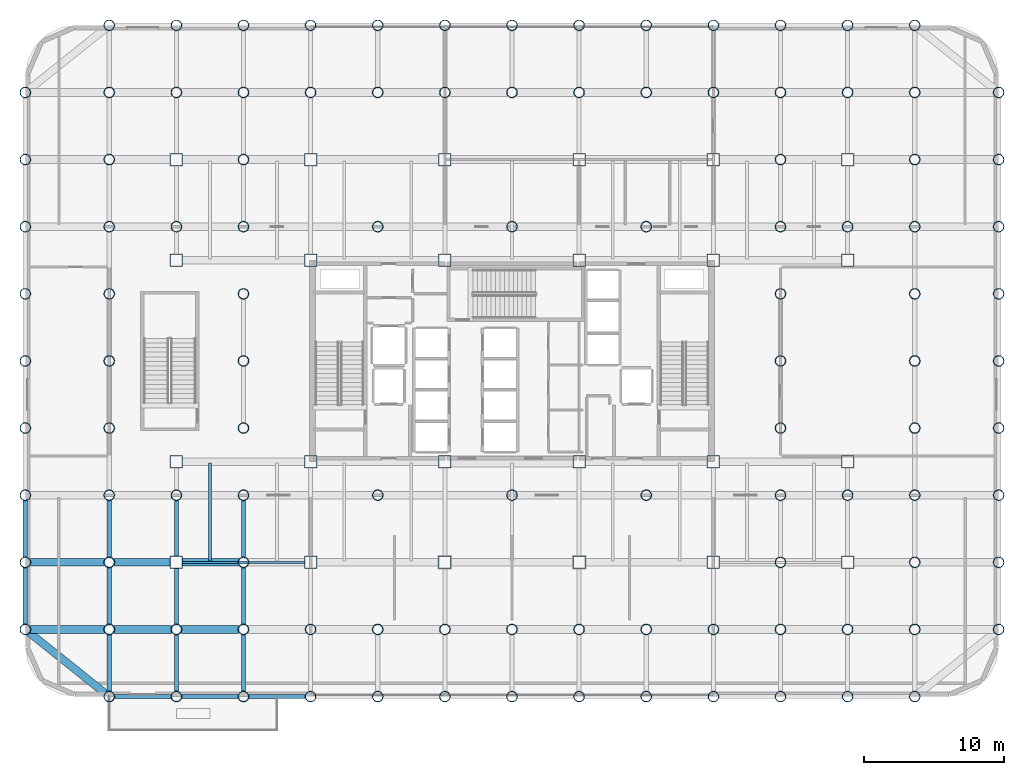
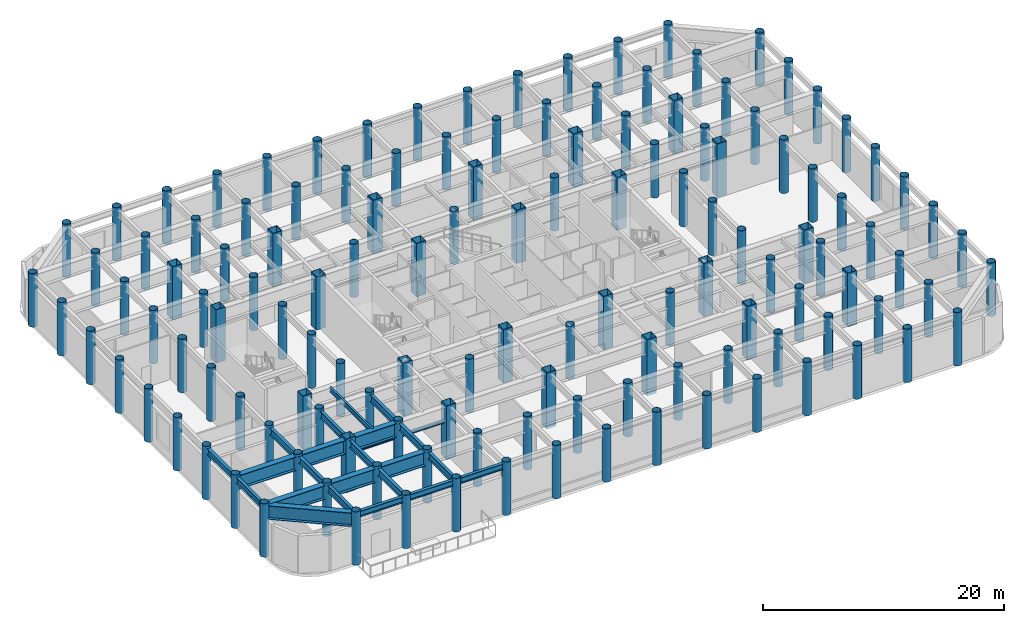
# One storey, part 1 of 17: 132 columns, 23 beams.
"""IFC4 building model written with IfcOpenShell, lengths in metres."""

from ifc_helpers import new_model, si_unit, direction, frame, origin, origin_2d, place, context, subcontext, project, spatial, hollow_rectangle, hollow_circle, i_section, extrude, material, material_profile, profile_set, type_object, element, save


model = new_model("IFC4")

# Units and contexts
model_context = context("Model", 3, precision=1e-05, world=origin(), true_north=direction((0.0, 1.0)))
body_context = subcontext(model_context, "Body", "Model", "MODEL_VIEW")
ifc_project = project(units=[si_unit("LENGTHUNIT", "METRE"), si_unit("AREAUNIT", "SQUARE_METRE"), si_unit("VOLUMEUNIT", "CUBIC_METRE"), si_unit("PLANEANGLEUNIT", "RADIAN"), si_unit("MASSUNIT", "GRAM", prefix="KILO")], contexts=[model_context])

# Site, building, storey
site_placement = place(None, origin())
site = spatial("IfcSite", under=ifc_project, at=site_placement, CompositionType="ELEMENT")
building_placement = place(site_placement, origin())
building = spatial("IfcBuilding", under=site, at=building_placement, Name="Kallvorn Hotel Tower", CompositionType="ELEMENT")
storey_placement = place(building_placement, frame((0.0, 0.0, 19.199951171875)))
storey = spatial("IfcBuildingStorey", under=building, at=storey_placement, Name="L03", CompositionType="ELEMENT", Elevation=19.199951171875)

# Columns
ifc_material_1 = material(Name="Structural steel S355J2H", Category="steel")
ifc_material_profile_1 = material_profile(ifc_material_1, hollow_circle(Radius=0.381103515625, WallThickness=0.031982421875, at=origin_2d()), Name="CHS 762x32")
ifc_profile_set_1 = profile_set([ifc_material_profile_1], Name="Structural steel S355J2H")
column_type_1 = type_object("IfcColumnType", Name="COL_CHS_762", PredefinedType="COLUMN", material=ifc_profile_set_1)
for number, where, z_axis, x_axis, name in (
    (1, (-34.800048828125, -19.199951171875, 0.0), (0.0, 0.0, 1.0), (1.0, 0.0, 0.0), "L03 Exoskeleton Column EC01"),
    (2, (-34.800048828125, -14.39990234375, 0.0), (0.0, 0.0, 1.0), (1.0, 0.0, 0.0), "L03 Exoskeleton Column EC02"),
    (3, (-34.800048828125, -9.60009765625, 0.0), (0.0, 0.0, 1.0), (1.0, 0.0, 0.0), "L03 Exoskeleton Column EC03"),
    (4, (-34.800048828125, -4.800048828125, 0.0), (0.0, 0.0, 1.0), (1.0, 0.0, 0.0), "L03 Exoskeleton Column EC04"),
    (5, (-34.800048828125, 0.0, 0.0), (0.0, 0.0, 1.0), (1.0, 0.0, 0.0), "L03 Exoskeleton Column EC05"),
    (6, (-34.800048828125, 4.800048828125, 0.0), (0.0, 0.0, 1.0), (1.0, 0.0, 0.0), "L03 Exoskeleton Column EC06"),
    (7, (-34.800048828125, 9.60009765625, 0.0), (0.0, 0.0, 1.0), (1.0, 0.0, 0.0), "L03 Exoskeleton Column EC07"),
    (8, (-34.800048828125, 14.39990234375, 0.0), (0.0, 0.0, 1.0), (1.0, 0.0, 0.0), "L03 Exoskeleton Column EC08"),
    (9, (-34.800048828125, 19.199951171875, 0.0), (0.0, 0.0, 1.0), (1.0, 0.0, 0.0), "L03 Exoskeleton Column EC09"),
    (10, (-28.800048828125, -24.0, 0.0), (0.0, 0.0, 1.0), (1.0, 0.0, 0.0), "L03 Exoskeleton Column EC10"),
    (11, (-28.800048828125, -19.199951171875, 0.0), (0.0, 0.0, 1.0), (1.0, 0.0, 0.0), "L03 Exoskeleton Column EC11"),
    (12, (-28.800048828125, -14.39990234375, 0.0), (0.0, 0.0, 1.0), (1.0, 0.0, 0.0), "L03 Exoskeleton Column EC12"),
    (13, (-28.800048828125, -9.60009765625, 0.0), (0.0, 0.0, 1.0), (1.0, 0.0, 0.0), "L03 Exoskeleton Column EC13"),
    (14, (-28.800048828125, -4.800048828125, 0.0), (0.0, 0.0, 1.0), (1.0, 0.0, 0.0), "L03 Exoskeleton Column EC14"),
    (15, (-28.800048828125, 0.0, 0.0), (0.0, 0.0, 1.0), (1.0, 0.0, 0.0), "L03 Exoskeleton Column EC15"),
    (16, (-28.800048828125, 4.800048828125, 0.0), (0.0, 0.0, 1.0), (1.0, 0.0, 0.0), "L03 Exoskeleton Column EC16"),
    (17, (-28.800048828125, 9.60009765625, 0.0), (0.0, 0.0, 1.0), (1.0, 0.0, 0.0), "L03 Exoskeleton Column EC17"),
    (18, (-28.800048828125, 14.39990234375, 0.0), (0.0, 0.0, 1.0), (1.0, 0.0, 0.0), "L03 Exoskeleton Column EC18"),
    (19, (-28.800048828125, 19.199951171875, 0.0), (0.0, 0.0, 1.0), (1.0, 0.0, 0.0), "L03 Exoskeleton Column EC19"),
    (20, (-28.800048828125, 24.0, 0.0), (0.0, 0.0, 1.0), (1.0, 0.0, 0.0), "L03 Exoskeleton Column EC20"),
    (21, (-24.0, -24.0, 0.0), (0.0, 0.0, 1.0), (1.0, 0.0, 0.0), "L03 Exoskeleton Column EC21"),
    (22, (-24.0, -19.199951171875, 0.0), (0.0, 0.0, 1.0), (1.0, 0.0, 0.0), "L03 Exoskeleton Column EC22"),
    (23, (-24.0, -9.60009765625, 0.0), (0.0, 0.0, 1.0), (1.0, 0.0, 0.0), "L03 Exoskeleton Column EC23"),
    (24, (-24.0, 9.60009765625, 0.0), (0.0, 0.0, 1.0), (1.0, 0.0, 0.0), "L03 Exoskeleton Column EC24"),
    (25, (-24.0, 19.199951171875, 0.0), (0.0, 0.0, 1.0), (1.0, 0.0, 0.0), "L03 Exoskeleton Column EC25"),
    (26, (-24.0, 24.0, 0.0), (0.0, 0.0, 1.0), (1.0, 0.0, 0.0), "L03 Exoskeleton Column EC26"),
    (27, (-19.199951171875, -24.0, 0.0), (0.0, 0.0, 1.0), (1.0, 0.0, 0.0), "L03 Exoskeleton Column EC27"),
    (28, (-19.199951171875, -19.199951171875, 0.0), (0.0, 0.0, 1.0), (1.0, 0.0, 0.0), "L03 Exoskeleton Column EC28"),
    (29, (-19.199951171875, -14.39990234375, 0.0), (0.0, 0.0, 1.0), (1.0, 0.0, 0.0), "L03 Exoskeleton Column EC29"),
    (30, (-19.199951171875, -9.60009765625, 0.0), (0.0, 0.0, 1.0), (1.0, 0.0, 0.0), "L03 Exoskeleton Column EC30"),
    (31, (-19.199951171875, -4.800048828125, 0.0), (0.0, 0.0, 1.0), (1.0, 0.0, 0.0), "L03 Exoskeleton Column EC31"),
    (32, (-19.199951171875, 0.0, 0.0), (0.0, 0.0, 1.0), (1.0, 0.0, 0.0), "L03 Exoskeleton Column EC32"),
    (33, (-19.199951171875, 4.800048828125, 0.0), (0.0, 0.0, 1.0), (1.0, 0.0, 0.0), "L03 Exoskeleton Column EC33"),
    (34, (-19.199951171875, 9.60009765625, 0.0), (0.0, 0.0, 1.0), (1.0, 0.0, 0.0), "L03 Exoskeleton Column EC34"),
    (35, (-19.199951171875, 14.39990234375, 0.0), (0.0, 0.0, 1.0), (1.0, 0.0, 0.0), "L03 Exoskeleton Column EC35"),
    (36, (-19.199951171875, 19.199951171875, 0.0), (0.0, 0.0, 1.0), (1.0, 0.0, 0.0), "L03 Exoskeleton Column EC36"),
    (37, (-19.199951171875, 24.0, 0.0), (0.0, 0.0, 1.0), (1.0, 0.0, 0.0), "L03 Exoskeleton Column EC37"),
    (38, (-14.39990234375, -24.0, 0.0), (0.0, 0.0, 1.0), (1.0, 0.0, 0.0), "L03 Exoskeleton Column EC38"),
    (39, (-14.39990234375, -19.199951171875, 0.0), (0.0, 0.0, 1.0), (1.0, 0.0, 0.0), "L03 Exoskeleton Column EC39"),
    (40, (-14.39990234375, 19.199951171875, 0.0), (0.0, 0.0, 1.0), (1.0, 0.0, 0.0), "L03 Exoskeleton Column EC40"),
    (41, (-14.39990234375, 24.0, 0.0), (0.0, 0.0, 1.0), (1.0, 0.0, 0.0), "L03 Exoskeleton Column EC41"),
    (42, (-9.60009765625, -24.0, 0.0), (0.0, 0.0, 1.0), (1.0, 0.0, 0.0), "L03 Exoskeleton Column EC42"),
    (43, (-9.60009765625, -19.199951171875, 0.0), (0.0, 0.0, 1.0), (1.0, 0.0, 0.0), "L03 Exoskeleton Column EC43"),
    (44, (-9.60009765625, -9.60009765625, 0.0), (0.0, 0.0, 1.0), (1.0, 0.0, 0.0), "L03 Exoskeleton Column EC44"),
    (45, (-9.60009765625, 9.60009765625, 0.0), (0.0, 0.0, 1.0), (1.0, 0.0, 0.0), "L03 Exoskeleton Column EC45"),
    (46, (-9.60009765625, 19.199951171875, 0.0), (0.0, 0.0, 1.0), (1.0, 0.0, 0.0), "L03 Exoskeleton Column EC46"),
    (47, (-9.60009765625, 24.0, 0.0), (0.0, 0.0, 1.0), (1.0, 0.0, 0.0), "L03 Exoskeleton Column EC47"),
    (48, (-4.800048828125, -24.0, 0.0), (0.0, 0.0, 1.0), (1.0, 0.0, 0.0), "L03 Exoskeleton Column EC48"),
    (49, (-4.800048828125, -19.199951171875, 0.0), (0.0, 0.0, 1.0), (1.0, 0.0, 0.0), "L03 Exoskeleton Column EC49"),
    (50, (-4.800048828125, 19.199951171875, 0.0), (0.0, 0.0, 1.0), (1.0, 0.0, 0.0), "L03 Exoskeleton Column EC50"),
    (51, (-4.800048828125, 24.0, 0.0), (0.0, 0.0, 1.0), (1.0, 0.0, 0.0), "L03 Exoskeleton Column EC51"),
    (52, (0.0, -24.0, 0.0), (0.0, 0.0, 1.0), (1.0, 0.0, 0.0), "L03 Exoskeleton Column EC52"),
    (53, (0.0, -19.199951171875, 0.0), (0.0, 0.0, 1.0), (1.0, 0.0, 0.0), "L03 Exoskeleton Column EC53"),
    (54, (0.0, -9.60009765625, 0.0), (0.0, 0.0, 1.0), (1.0, 0.0, 0.0), "L03 Exoskeleton Column EC54"),
    (55, (0.0, 9.60009765625, 0.0), (0.0, 0.0, 1.0), (1.0, 0.0, 0.0), "L03 Exoskeleton Column EC55"),
    (56, (0.0, 19.199951171875, 0.0), (0.0, 0.0, 1.0), (1.0, 0.0, 0.0), "L03 Exoskeleton Column EC56"),
    (57, (0.0, 24.0, 0.0), (0.0, 0.0, 1.0), (1.0, 0.0, 0.0), "L03 Exoskeleton Column EC57"),
    (58, (4.800048828125, -24.0, 0.0), (0.0, 0.0, 1.0), (1.0, 0.0, 0.0), "L03 Exoskeleton Column EC58"),
    (59, (4.800048828125, -19.199951171875, 0.0), (0.0, 0.0, 1.0), (1.0, 0.0, 0.0), "L03 Exoskeleton Column EC59"),
    (60, (4.800048828125, 19.199951171875, 0.0), (0.0, 0.0, 1.0), (1.0, 0.0, 0.0), "L03 Exoskeleton Column EC60"),
    (61, (4.800048828125, 24.0, 0.0), (0.0, 0.0, 1.0), (1.0, 0.0, 0.0), "L03 Exoskeleton Column EC61"),
    (62, (9.60009765625, -24.0, 0.0), (0.0, 0.0, 1.0), (1.0, 0.0, 0.0), "L03 Exoskeleton Column EC62"),
    (63, (9.60009765625, -19.199951171875, 0.0), (0.0, 0.0, 1.0), (1.0, 0.0, 0.0), "L03 Exoskeleton Column EC63"),
    (64, (9.60009765625, -9.60009765625, 0.0), (0.0, 0.0, 1.0), (1.0, 0.0, 0.0), "L03 Exoskeleton Column EC64"),
    (65, (9.60009765625, 9.60009765625, 0.0), (0.0, 0.0, 1.0), (1.0, 0.0, 0.0), "L03 Exoskeleton Column EC65"),
    (66, (9.60009765625, 19.199951171875, 0.0), (0.0, 0.0, 1.0), (1.0, 0.0, 0.0), "L03 Exoskeleton Column EC66"),
    (67, (9.60009765625, 24.0, 0.0), (0.0, 0.0, 1.0), (1.0, 0.0, 0.0), "L03 Exoskeleton Column EC67"),
    (68, (14.39990234375, -24.0, 0.0), (0.0, 0.0, 1.0), (1.0, 0.0, 0.0), "L03 Exoskeleton Column EC68"),
    (69, (14.39990234375, -19.199951171875, 0.0), (0.0, 0.0, 1.0), (1.0, 0.0, 0.0), "L03 Exoskeleton Column EC69"),
    (70, (14.39990234375, 19.199951171875, 0.0), (0.0, 0.0, 1.0), (1.0, 0.0, 0.0), "L03 Exoskeleton Column EC70"),
    (71, (14.39990234375, 24.0, 0.0), (0.0, 0.0, 1.0), (1.0, 0.0, 0.0), "L03 Exoskeleton Column EC71"),
    (72, (19.199951171875, -24.0, 0.0), (0.0, 0.0, 1.0), (1.0, 0.0, 0.0), "L03 Exoskeleton Column EC72"),
    (73, (19.199951171875, -19.199951171875, 0.0), (0.0, 0.0, 1.0), (1.0, 0.0, 0.0), "L03 Exoskeleton Column EC73"),
    (74, (19.199951171875, -14.39990234375, 0.0), (0.0, 0.0, 1.0), (1.0, 0.0, 0.0), "L03 Exoskeleton Column EC74"),
    (75, (19.199951171875, -9.60009765625, 0.0), (0.0, 0.0, 1.0), (1.0, 0.0, 0.0), "L03 Exoskeleton Column EC75"),
    (76, (19.199951171875, -4.800048828125, 0.0), (0.0, 0.0, 1.0), (1.0, 0.0, 0.0), "L03 Exoskeleton Column EC76"),
    (77, (19.199951171875, 0.0, 0.0), (0.0, 0.0, 1.0), (1.0, 0.0, 0.0), "L03 Exoskeleton Column EC77"),
    (78, (19.199951171875, 4.800048828125, 0.0), (0.0, 0.0, 1.0), (1.0, 0.0, 0.0), "L03 Exoskeleton Column EC78"),
    (79, (19.199951171875, 9.60009765625, 0.0), (0.0, 0.0, 1.0), (1.0, 0.0, 0.0), "L03 Exoskeleton Column EC79"),
    (80, (19.199951171875, 14.39990234375, 0.0), (0.0, 0.0, 1.0), (1.0, 0.0, 0.0), "L03 Exoskeleton Column EC80"),
    (81, (19.199951171875, 19.199951171875, 0.0), (0.0, 0.0, 1.0), (1.0, 0.0, 0.0), "L03 Exoskeleton Column EC81"),
    (82, (19.199951171875, 24.0, 0.0), (0.0, 0.0, 1.0), (1.0, 0.0, 0.0), "L03 Exoskeleton Column EC82"),
    (83, (24.0, -24.0, 0.0), (0.0, 0.0, 1.0), (1.0, 0.0, 0.0), "L03 Exoskeleton Column EC83"),
    (84, (24.0, -19.199951171875, 0.0), (0.0, 0.0, 1.0), (1.0, 0.0, 0.0), "L03 Exoskeleton Column EC84"),
    (85, (24.0, -9.60009765625, 0.0), (0.0, 0.0, 1.0), (1.0, 0.0, 0.0), "L03 Exoskeleton Column EC85"),
    (86, (24.0, 9.60009765625, 0.0), (0.0, 0.0, 1.0), (1.0, 0.0, 0.0), "L03 Exoskeleton Column EC86"),
    (87, (24.0, 19.199951171875, 0.0), (0.0, 0.0, 1.0), (1.0, 0.0, 0.0), "L03 Exoskeleton Column EC87"),
    (88, (24.0, 24.0, 0.0), (0.0, 0.0, 1.0), (1.0, 0.0, 0.0), "L03 Exoskeleton Column EC88"),
    (89, (28.800048828125, -24.0, 0.0), (0.0, 0.0, 1.0), (1.0, 0.0, 0.0), "L03 Exoskeleton Column EC89"),
    (90, (28.800048828125, -19.199951171875, 0.0), (0.0, 0.0, 1.0), (1.0, 0.0, 0.0), "L03 Exoskeleton Column EC90"),
    (91, (28.800048828125, -14.39990234375, 0.0), (0.0, 0.0, 1.0), (1.0, 0.0, 0.0), "L03 Exoskeleton Column EC91"),
    (92, (28.800048828125, -9.60009765625, 0.0), (0.0, 0.0, 1.0), (1.0, 0.0, 0.0), "L03 Exoskeleton Column EC92"),
    (93, (28.800048828125, -4.800048828125, 0.0), (0.0, 0.0, 1.0), (1.0, 0.0, 0.0), "L03 Exoskeleton Column EC93"),
    (94, (28.800048828125, 0.0, 0.0), (0.0, 0.0, 1.0), (1.0, 0.0, 0.0), "L03 Exoskeleton Column EC94"),
    (95, (28.800048828125, 4.800048828125, 0.0), (0.0, 0.0, 1.0), (1.0, 0.0, 0.0), "L03 Exoskeleton Column EC95"),
    (96, (28.800048828125, 9.60009765625, 0.0), (0.0, 0.0, 1.0), (1.0, 0.0, 0.0), "L03 Exoskeleton Column EC96"),
    (97, (28.800048828125, 14.39990234375, 0.0), (0.0, 0.0, 1.0), (1.0, 0.0, 0.0), "L03 Exoskeleton Column EC97"),
    (98, (28.800048828125, 19.199951171875, 0.0), (0.0, 0.0, 1.0), (1.0, 0.0, 0.0), "L03 Exoskeleton Column EC98"),
    (99, (28.800048828125, 24.0, 0.0), (0.0, 0.0, 1.0), (1.0, 0.0, 0.0), "L03 Exoskeleton Column EC99"),
    (100, (34.800048828125, -19.199951171875, 0.0), (0.0, 0.0, 1.0), (1.0, 0.0, 0.0), "L03 Exoskeleton Column EC100"),
    (101, (34.800048828125, -14.39990234375, 0.0), (0.0, 0.0, 1.0), (1.0, 0.0, 0.0), "L03 Exoskeleton Column EC101"),
    (102, (34.800048828125, -9.60009765625, 0.0), (0.0, 0.0, 1.0), (1.0, 0.0, 0.0), "L03 Exoskeleton Column EC102"),
    (103, (34.800048828125, -4.800048828125, 0.0), (0.0, 0.0, 1.0), (1.0, 0.0, 0.0), "L03 Exoskeleton Column EC103"),
    (104, (34.800048828125, 0.0, 0.0), (0.0, 0.0, 1.0), (1.0, 0.0, 0.0), "L03 Exoskeleton Column EC104"),
    (105, (34.800048828125, 4.800048828125, 0.0), (0.0, 0.0, 1.0), (1.0, 0.0, 0.0), "L03 Exoskeleton Column EC105"),
    (106, (34.800048828125, 9.60009765625, 0.0), (0.0, 0.0, 1.0), (1.0, 0.0, 0.0), "L03 Exoskeleton Column EC106"),
    (107, (34.800048828125, 14.39990234375, 0.0), (0.0, 0.0, 1.0), (1.0, 0.0, 0.0), "L03 Exoskeleton Column EC107"),
    (108, (34.800048828125, 19.199951171875, 0.0), (0.0, 0.0, 1.0), (1.0, 0.0, 0.0), "L03 Exoskeleton Column EC108"),
):
    element("IfcColumn", number, at=place(storey_placement, frame(where, z_axis=z_axis, x_axis=x_axis)), inside=storey, type_object=column_type_1, Name=name, PredefinedType="COLUMN", context=body_context, shape_type="SweptSolid", body=[
        extrude(hollow_circle(Radius=0.381103515625, WallThickness=0.031982421875, at=origin_2d()), origin(), (0.0, 0.0, 1.0), 5.400146484375),
    ])
ifc_material_2 = material(Name="Structural steel S355J2H", Category="steel")
ifc_material_profile_2 = material_profile(ifc_material_2, hollow_rectangle(XDim=0.89990234375, YDim=0.89990234375, WallThickness=0.0400390625, at=origin_2d()), Name="RHS 900x900x40")
ifc_profile_set_2 = profile_set([ifc_material_profile_2], Name="Structural steel S355J2H")
column_type_2 = type_object("IfcColumnType", Name="COL_RHS_900", PredefinedType="COLUMN", material=ifc_profile_set_2)
for number, where, z_axis, x_axis, name in (
    (109, (-24.0, -14.39990234375, 0.0), (0.0, 0.0, 1.0), (1.0, 0.0, 0.0), "L03 Inner Column IC01"),
    (110, (-24.0, -7.199951171875, 0.0), (0.0, 0.0, 1.0), (1.0, 0.0, 0.0), "L03 Inner Column IC02"),
    (111, (-24.0, 7.199951171875, 0.0), (0.0, 0.0, 1.0), (1.0, 0.0, 0.0), "L03 Inner Column IC03"),
    (112, (-24.0, 14.39990234375, 0.0), (0.0, 0.0, 1.0), (1.0, 0.0, 0.0), "L03 Inner Column IC04"),
    (113, (-14.39990234375, -14.39990234375, 0.0), (0.0, 0.0, 1.0), (1.0, 0.0, 0.0), "L03 Inner Column IC05"),
    (114, (-14.39990234375, -7.199951171875, 0.0), (0.0, 0.0, 1.0), (1.0, 0.0, 0.0), "L03 Inner Column IC06"),
    (115, (-14.39990234375, 7.199951171875, 0.0), (0.0, 0.0, 1.0), (1.0, 0.0, 0.0), "L03 Inner Column IC07"),
    (116, (-14.39990234375, 14.39990234375, 0.0), (0.0, 0.0, 1.0), (1.0, 0.0, 0.0), "L03 Inner Column IC08"),
):
    element("IfcColumn", number, at=place(storey_placement, frame(where, z_axis=z_axis, x_axis=x_axis)), inside=storey, type_object=column_type_2, Name=name, PredefinedType="COLUMN", context=body_context, shape_type="SweptSolid", body=[
        extrude(hollow_rectangle(XDim=0.89990234375, YDim=0.89990234375, WallThickness=0.0400390625, at=origin_2d()), origin(), (0.0, 0.0, 1.0), 5.400146484375),
    ])
column_1_placement = place(storey_placement, frame((-4.800048828125, -14.39990234375, -0.280029296875), z_axis=(0.0, 0.0, 1.0), x_axis=(1.0, 0.0, 0.0)))
element("IfcColumn", 117, at=column_1_placement, inside=storey, type_object=column_type_2, Name="L03 Inner Column IC09", PredefinedType="COLUMN", context=body_context, shape_type="SweptSolid", body=[
    extrude(hollow_rectangle(XDim=0.89990234375, YDim=0.89990234375, WallThickness=0.0400390625, at=origin_2d()), origin(), (0.0, 0.0, 1.0), 5.68017578125),
])
for number, where, z_axis, x_axis, name in (
    (118, (-4.800048828125, -7.199951171875, 0.0), (0.0, 0.0, 1.0), (1.0, 0.0, 0.0), "L03 Inner Column IC10"),
    (119, (-4.800048828125, 7.199951171875, 0.0), (0.0, 0.0, 1.0), (1.0, 0.0, 0.0), "L03 Inner Column IC11"),
    (120, (-4.800048828125, 14.39990234375, 0.0), (0.0, 0.0, 1.0), (1.0, 0.0, 0.0), "L03 Inner Column IC12"),
):
    element("IfcColumn", number, at=place(storey_placement, frame(where, z_axis=z_axis, x_axis=x_axis)), inside=storey, type_object=column_type_2, Name=name, PredefinedType="COLUMN", context=body_context, shape_type="SweptSolid", body=[
        extrude(hollow_rectangle(XDim=0.89990234375, YDim=0.89990234375, WallThickness=0.0400390625, at=origin_2d()), origin(), (0.0, 0.0, 1.0), 5.400146484375),
    ])
column_2_placement = place(storey_placement, frame((4.800048828125, -14.39990234375, -0.280029296875), z_axis=(0.0, 0.0, 1.0), x_axis=(1.0, 0.0, 0.0)))
element("IfcColumn", 121, at=column_2_placement, inside=storey, type_object=column_type_2, Name="L03 Inner Column IC13", PredefinedType="COLUMN", context=body_context, shape_type="SweptSolid", body=[
    extrude(hollow_rectangle(XDim=0.89990234375, YDim=0.89990234375, WallThickness=0.0400390625, at=origin_2d()), origin(), (0.0, 0.0, 1.0), 5.68017578125),
])
for number, where, z_axis, x_axis, name in (
    (122, (4.800048828125, -7.199951171875, 0.0), (0.0, 0.0, 1.0), (1.0, 0.0, 0.0), "L03 Inner Column IC14"),
    (123, (4.800048828125, 7.199951171875, 0.0), (0.0, 0.0, 1.0), (1.0, 0.0, 0.0), "L03 Inner Column IC15"),
    (124, (4.800048828125, 14.39990234375, 0.0), (0.0, 0.0, 1.0), (1.0, 0.0, 0.0), "L03 Inner Column IC16"),
    (125, (14.39990234375, -14.39990234375, 0.0), (0.0, 0.0, 1.0), (1.0, 0.0, 0.0), "L03 Inner Column IC17"),
    (126, (14.39990234375, -7.199951171875, 0.0), (0.0, 0.0, 1.0), (1.0, 0.0, 0.0), "L03 Inner Column IC18"),
    (127, (14.39990234375, 7.199951171875, 0.0), (0.0, 0.0, 1.0), (1.0, 0.0, 0.0), "L03 Inner Column IC19"),
    (128, (14.39990234375, 14.39990234375, 0.0), (0.0, 0.0, 1.0), (1.0, 0.0, 0.0), "L03 Inner Column IC20"),
    (129, (24.0, -14.39990234375, 0.0), (0.0, 0.0, 1.0), (1.0, 0.0, 0.0), "L03 Inner Column IC21"),
    (130, (24.0, -7.199951171875, 0.0), (0.0, 0.0, 1.0), (1.0, 0.0, 0.0), "L03 Inner Column IC22"),
    (131, (24.0, 7.199951171875, 0.0), (0.0, 0.0, 1.0), (1.0, 0.0, 0.0), "L03 Inner Column IC23"),
    (132, (24.0, 14.39990234375, 0.0), (0.0, 0.0, 1.0), (1.0, 0.0, 0.0), "L03 Inner Column IC24"),
):
    element("IfcColumn", number, at=place(storey_placement, frame(where, z_axis=z_axis, x_axis=x_axis)), inside=storey, type_object=column_type_2, Name=name, PredefinedType="COLUMN", context=body_context, shape_type="SweptSolid", body=[
        extrude(hollow_rectangle(XDim=0.89990234375, YDim=0.89990234375, WallThickness=0.0400390625, at=origin_2d()), origin(), (0.0, 0.0, 1.0), 5.400146484375),
    ])

# Beams
ifc_material_3 = material(Name="Structural steel S355JR", Category="steel")
ifc_material_profile_3 = material_profile(ifc_material_3, i_section(OverallWidth=0.300048828125, OverallDepth=0.60009765625, WebThickness=0.015380859375, FlangeThickness=0.030029296875, at=origin_2d()), Name="HE 600 B")
ifc_profile_set_3 = profile_set([ifc_material_profile_3], Name="Structural steel S355JR")
beam_type_1 = type_object("IfcBeamType", Name="BM_HE600B", PredefinedType="SPANDREL", material=ifc_profile_set_3)
for number, where, z_axis, x_axis, name in (
    (133, (-28.428955078125, -24.0, 4.880126953125), (1.0, 0.0, 0.0), (0.0, 1.0, 0.0), "L04 Perimeter Spandrel 172"),
    (134, (-23.62890625, -24.0, 4.880126953125), (1.0, 0.0, 0.0), (0.0, 1.0, 0.0), "L04 Perimeter Spandrel 173"),
):
    element("IfcBeam", number, at=place(storey_placement, frame(where, z_axis=z_axis, x_axis=x_axis)), inside=storey, type_object=beam_type_1, Name=name, PredefinedType="SPANDREL", context=body_context, shape_type="SweptSolid", body=[
        extrude(i_section(OverallWidth=0.300048828125, OverallDepth=0.60009765625, WebThickness=0.015380859375, FlangeThickness=0.030029296875, at=origin_2d()), origin(), (0.0, 0.0, 1.0), 4.057861328125),
    ])
for number, where, z_axis, x_axis, name in (
    (135, (-18.8291015625, -24.0, 4.880126953125), (1.0, 0.0, 0.0), (0.0, 1.0, 0.0), "L04 Perimeter Spandrel 174"),
    (136, (-34.800048828125, -18.8291015625, 4.880126953125), (0.0, 1.0, 0.0), (-1.0, 0.0, 0.0), "L04 Perimeter Spandrel 196"),
    (137, (-34.800048828125, -14.029052734375, 4.880126953125), (0.0, 1.0, 0.0), (-1.0, 0.0, 0.0), "L04 Perimeter Spandrel 197"),
):
    element("IfcBeam", number, at=place(storey_placement, frame(where, z_axis=z_axis, x_axis=x_axis)), inside=storey, type_object=beam_type_1, Name=name, PredefinedType="SPANDREL", context=body_context, shape_type="SweptSolid", body=[
        extrude(i_section(OverallWidth=0.300048828125, OverallDepth=0.60009765625, WebThickness=0.015380859375, FlangeThickness=0.030029296875, at=origin_2d()), origin(), (0.0, 0.0, 1.0), 4.05810546875),
    ])
ifc_material_4 = material(Name="Structural steel S355JR", Category="steel")
ifc_material_profile_4 = material_profile(ifc_material_4, i_section(OverallWidth=0.300048828125, OverallDepth=0.699951171875, WebThickness=0.01708984375, FlangeThickness=0.031982421875, at=origin_2d()), Name="HE 700 B")
ifc_profile_set_4 = profile_set([ifc_material_profile_4], Name="Structural steel S355JR")
beam_type_2 = type_object("IfcBeamType", Name="BM_HE700B", PredefinedType="BEAM", material=ifc_profile_set_4)
beam_1_placement = place(storey_placement, frame((-28.800048828125, -23.64404296875, 4.830078125), z_axis=(0.0, 1.0, 0.0), x_axis=(-1.0, 0.0, 0.0)))
element("IfcBeam", 138, at=beam_1_placement, inside=storey, type_object=beam_type_2, Name="L04 Primary Y-Girder 80", PredefinedType="BEAM", context=body_context, shape_type="SweptSolid", body=[
    extrude(i_section(OverallWidth=0.300048828125, OverallDepth=0.699951171875, WebThickness=0.01708984375, FlangeThickness=0.031982421875, at=origin_2d()), origin(), (0.0, 0.0, 1.0), 4.088134765625),
])
for number, where, z_axis, x_axis, name in (
    (139, (-28.800048828125, -18.843994140625, 4.830078125), (0.0, 1.0, 0.0), (-1.0, 0.0, 0.0), "L04 Primary Y-Girder 81"),
    (140, (-28.800048828125, -14.0439453125, 4.830078125), (0.0, 1.0, 0.0), (-1.0, 0.0, 0.0), "L04 Primary Y-Girder 82"),
):
    element("IfcBeam", number, at=place(storey_placement, frame(where, z_axis=z_axis, x_axis=x_axis)), inside=storey, type_object=beam_type_2, Name=name, PredefinedType="BEAM", context=body_context, shape_type="SweptSolid", body=[
        extrude(i_section(OverallWidth=0.300048828125, OverallDepth=0.699951171875, WebThickness=0.01708984375, FlangeThickness=0.031982421875, at=origin_2d()), origin(), (0.0, 0.0, 1.0), 4.087890625),
    ])
beam_2_placement = place(storey_placement, frame((-24.0, -23.64404296875, 4.830078125), z_axis=(0.0, 1.0, 0.0), x_axis=(-1.0, 0.0, 0.0)))
element("IfcBeam", 141, at=beam_2_placement, inside=storey, type_object=beam_type_2, Name="L04 Primary Y-Girder 90", PredefinedType="BEAM", context=body_context, shape_type="SweptSolid", body=[
    extrude(i_section(OverallWidth=0.300048828125, OverallDepth=0.699951171875, WebThickness=0.01708984375, FlangeThickness=0.031982421875, at=origin_2d()), origin(), (0.0, 0.0, 1.0), 4.088134765625),
])
for number, where, z_axis, x_axis, name in (
    (142, (-24.0, -18.843994140625, 4.830078125), (0.0, 1.0, 0.0), (-1.0, 0.0, 0.0), "L04 Primary Y-Girder 91"),
    (143, (-24.0, -13.97509765625, 4.830078125), (0.0, 1.0, 0.0), (-1.0, 0.0, 0.0), "L04 Primary Y-Girder 92"),
):
    element("IfcBeam", number, at=place(storey_placement, frame(where, z_axis=z_axis, x_axis=x_axis)), inside=storey, type_object=beam_type_2, Name=name, PredefinedType="BEAM", context=body_context, shape_type="SweptSolid", body=[
        extrude(i_section(OverallWidth=0.300048828125, OverallDepth=0.699951171875, WebThickness=0.01708984375, FlangeThickness=0.031982421875, at=origin_2d()), origin(), (0.0, 0.0, 1.0), 4.01904296875),
    ])
beam_3_placement = place(storey_placement, frame((-19.199951171875, -23.64404296875, 4.830078125), z_axis=(0.0, 1.0, 0.0), x_axis=(-1.0, 0.0, 0.0)))
element("IfcBeam", 144, at=beam_3_placement, inside=storey, type_object=beam_type_2, Name="L04 Primary Y-Girder 98", PredefinedType="BEAM", context=body_context, shape_type="SweptSolid", body=[
    extrude(i_section(OverallWidth=0.300048828125, OverallDepth=0.699951171875, WebThickness=0.01708984375, FlangeThickness=0.031982421875, at=origin_2d()), origin(), (0.0, 0.0, 1.0), 4.088134765625),
])
for number, where, z_axis, x_axis, name in (
    (145, (-19.199951171875, -18.843994140625, 4.830078125), (0.0, 1.0, 0.0), (-1.0, 0.0, 0.0), "L04 Primary Y-Girder 99"),
    (146, (-19.199951171875, -14.0439453125, 4.830078125), (0.0, 1.0, 0.0), (-1.0, 0.0, 0.0), "L04 Primary Y-Girder 100"),
):
    element("IfcBeam", number, at=place(storey_placement, frame(where, z_axis=z_axis, x_axis=x_axis)), inside=storey, type_object=beam_type_2, Name=name, PredefinedType="BEAM", context=body_context, shape_type="SweptSolid", body=[
        extrude(i_section(OverallWidth=0.300048828125, OverallDepth=0.699951171875, WebThickness=0.01708984375, FlangeThickness=0.031982421875, at=origin_2d()), origin(), (0.0, 0.0, 1.0), 4.087890625),
    ])
ifc_material_5 = material(Name="Structural steel S355JR", Category="steel")
ifc_material_profile_5 = material_profile(ifc_material_5, i_section(OverallWidth=0.14990234375, OverallDepth=0.300048828125, WebThickness=0.007080078125, FlangeThickness=0.0107421875, at=origin_2d()), Name="IPE 300")
ifc_profile_set_5 = profile_set([ifc_material_profile_5], Name="Structural steel S355JR")
beam_type_3 = type_object("IfcBeamType", Name="BM_IPE300", PredefinedType="LINTEL", material=ifc_profile_set_5)
beam_4_placement = place(storey_placement, frame((-23.56005859375, -14.39990234375, 3.60009765625), z_axis=(1.0, 0.0, 0.0), x_axis=(0.0, 1.0, 0.0)))
element("IfcBeam", 147, at=beam_4_placement, inside=storey, type_object=beam_type_3, Name="L03 Concourse Portal Lintel Beam 1", PredefinedType="LINTEL", context=body_context, shape_type="SweptSolid", body=[
    extrude(i_section(OverallWidth=0.14990234375, OverallDepth=0.300048828125, WebThickness=0.007080078125, FlangeThickness=0.0107421875, at=origin_2d()), origin(), (0.0, 0.0, 1.0), 8.719970703125),
])
ifc_material_6 = material(Name="Structural steel S355JR", Category="steel")
ifc_material_profile_6 = material_profile(ifc_material_6, i_section(OverallWidth=0.199951171875, OverallDepth=0.5, WebThickness=0.01025390625, FlangeThickness=0.01611328125, at=origin_2d()), Name="IPE 500")
ifc_profile_set_6 = profile_set([ifc_material_profile_6], Name="Structural steel S355JR")
beam_type_4 = type_object("IfcBeamType", Name="BM_IPE500", PredefinedType="JOIST", material=ifc_profile_set_6)
beam_5_placement = place(storey_placement, frame((-21.60009765625, -14.300048828125, 4.929931640625), z_axis=(0.0, 1.0, 0.0), x_axis=(-1.0, 0.0, 0.0)))
element("IfcBeam", 148, at=beam_5_placement, inside=storey, type_object=beam_type_4, Name="L04 Secondary Composite Joist 216", PredefinedType="JOIST", context=body_context, shape_type="SweptSolid", body=[
    extrude(i_section(OverallWidth=0.199951171875, OverallDepth=0.5, WebThickness=0.01025390625, FlangeThickness=0.01611328125, at=origin_2d()), origin(), (0.0, 0.0, 1.0), 7.0),
])
ifc_material_7 = material(Name="Structural steel S355JR", Category="steel")
ifc_material_profile_7 = material_profile(ifc_material_7, i_section(OverallWidth=0.550048828125, OverallDepth=1.39990234375, WebThickness=0.02490234375, FlangeThickness=0.044921875, at=origin_2d()), Name="PG 1400x550x25x45")
ifc_profile_set_7 = profile_set([ifc_material_profile_7], Name="Structural steel S355JR")
beam_type_5 = type_object("IfcBeamType", Name="BM_PG_1400", PredefinedType="BEAM", material=ifc_profile_set_7)
beam_6_placement = place(storey_placement, frame((-34.444091796875, -19.199951171875, 4.47998046875), z_axis=(1.0, 0.0, 0.0), x_axis=(0.0, 1.0, 0.0)))
element("IfcBeam", 149, at=beam_6_placement, inside=storey, type_object=beam_type_5, Name="L04 Primary X-Girder 01", PredefinedType="BEAM", context=body_context, shape_type="SweptSolid", body=[
    extrude(i_section(OverallWidth=0.550048828125, OverallDepth=1.39990234375, WebThickness=0.02490234375, FlangeThickness=0.044921875, at=origin_2d()), origin(), (0.0, 0.0, 1.0), 5.2880859375),
])
for number, where, z_axis, x_axis, name in (
    (150, (-28.444091796875, -19.199951171875, 4.47998046875), (1.0, 0.0, 0.0), (0.0, 1.0, 0.0), "L04 Primary X-Girder 02"),
    (151, (-23.64404296875, -19.199951171875, 4.47998046875), (1.0, 0.0, 0.0), (0.0, 1.0, 0.0), "L04 Primary X-Girder 03"),
):
    element("IfcBeam", number, at=place(storey_placement, frame(where, z_axis=z_axis, x_axis=x_axis)), inside=storey, type_object=beam_type_5, Name=name, PredefinedType="BEAM", context=body_context, shape_type="SweptSolid", body=[
        extrude(i_section(OverallWidth=0.550048828125, OverallDepth=1.39990234375, WebThickness=0.02490234375, FlangeThickness=0.044921875, at=origin_2d()), origin(), (0.0, 0.0, 1.0), 4.088134765625),
    ])
beam_7_placement = place(storey_placement, frame((-34.444091796875, -14.39990234375, 4.47998046875), z_axis=(1.0, 0.0, 0.0), x_axis=(0.0, 1.0, 0.0)))
element("IfcBeam", 152, at=beam_7_placement, inside=storey, type_object=beam_type_5, Name="L04 Primary X-Girder 15", PredefinedType="BEAM", context=body_context, shape_type="SweptSolid", body=[
    extrude(i_section(OverallWidth=0.550048828125, OverallDepth=1.39990234375, WebThickness=0.02490234375, FlangeThickness=0.044921875, at=origin_2d()), origin(), (0.0, 0.0, 1.0), 5.2880859375),
])
for number, where, z_axis, x_axis, name in (
    (153, (-28.444091796875, -14.39990234375, 4.47998046875), (1.0, 0.0, 0.0), (0.0, 1.0, 0.0), "L04 Primary X-Girder 16"),
    (154, (-23.574951171875, -14.39990234375, 4.47998046875), (1.0, 0.0, 0.0), (0.0, 1.0, 0.0), "L04 Primary X-Girder 17"),
):
    element("IfcBeam", number, at=place(storey_placement, frame(where, z_axis=z_axis, x_axis=x_axis)), inside=storey, type_object=beam_type_5, Name=name, PredefinedType="BEAM", context=body_context, shape_type="SweptSolid", body=[
        extrude(i_section(OverallWidth=0.550048828125, OverallDepth=1.39990234375, WebThickness=0.02490234375, FlangeThickness=0.044921875, at=origin_2d()), origin(), (0.0, 0.0, 1.0), 4.01904296875),
    ])
beam_8_placement = place(storey_placement, frame((-34.51025390625, -19.431884765625, 4.47998046875), z_axis=(0.780875671801, -0.62468646951, 0.0), x_axis=(0.62468646951, 0.780875671801, 0.0)))
element("IfcBeam", 155, at=beam_8_placement, inside=storey, type_object=beam_type_5, Name="L04 Rounded Corner Tie Beam 212", PredefinedType="BEAM", context=body_context, shape_type="SweptSolid", body=[
    extrude(i_section(OverallWidth=0.550048828125, OverallDepth=1.39990234375, WebThickness=0.02490234375, FlangeThickness=0.044921875, at=origin_2d()), origin(), (0.0, 0.0, 1.0), 6.941650390625),
])

save(model, "model.ifc")
